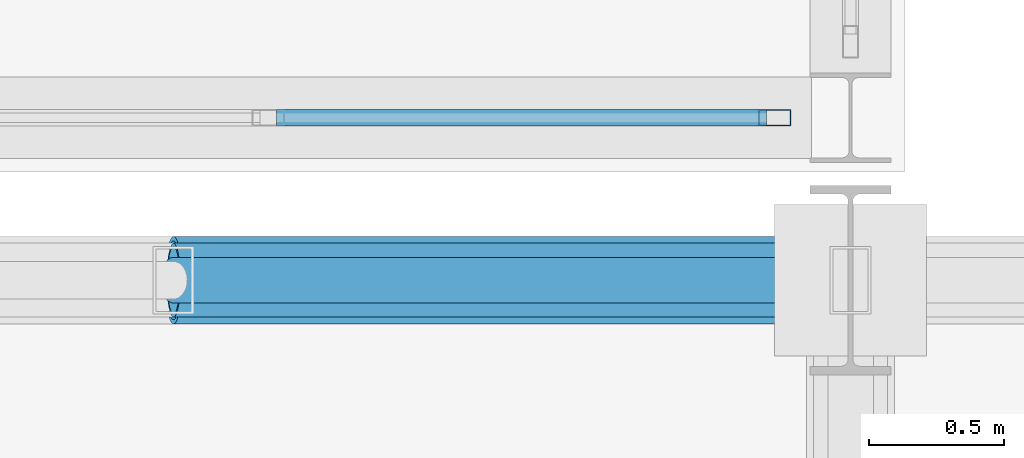
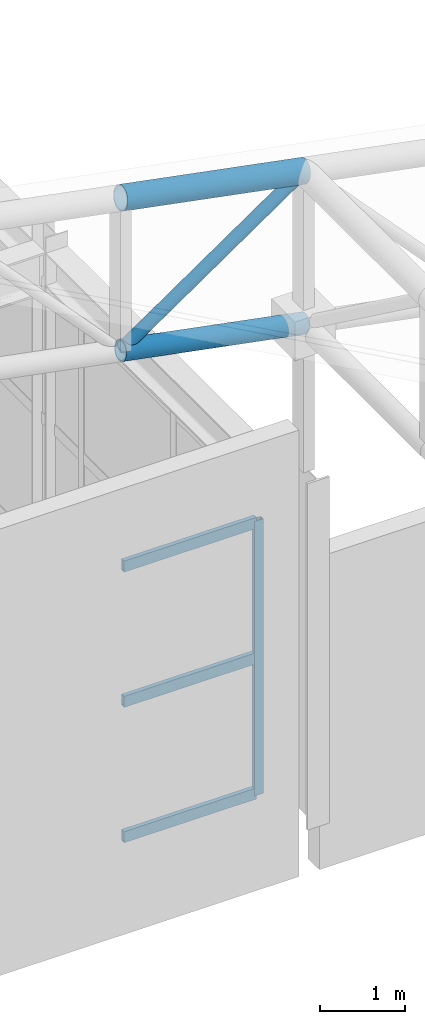
# One storey, part 75 of 112: 7 members, 1 element without a shape of its own.
"""IFC4 building model written with IfcOpenShell, lengths in metres."""

from ifc_helpers import new_model, si_unit, direction, frame, origin, origin_2d, place, context, subcontext, project, spatial, hollow_rectangle, hollow_circle, extrude, material, material_profile, profile_set, type_object, element, aggregate, save


model = new_model("IFC4")

# Units and contexts
model_context = context("Model", 3, precision=1e-05, world=origin(), true_north=direction((0.0, 1.0)))
body_context = subcontext(model_context, "Body", "Model", "MODEL_VIEW")
ifc_project = project(units=[si_unit("LENGTHUNIT", "METRE"), si_unit("AREAUNIT", "SQUARE_METRE"), si_unit("VOLUMEUNIT", "CUBIC_METRE"), si_unit("PLANEANGLEUNIT", "RADIAN"), si_unit("MASSUNIT", "GRAM", prefix="KILO")], contexts=[model_context])

# Site, building, storey
site_placement = place(None, origin())
site = spatial("IfcSite", under=ifc_project, at=site_placement, CompositionType="ELEMENT")
building_placement = place(site_placement, origin())
building = spatial("IfcBuilding", under=site, at=building_placement, Name="Kaldris Quays Convention Centre", CompositionType="ELEMENT")
storey_placement = place(building_placement, frame((0.0, 0.0, 16.800048828125)))
storey = spatial("IfcBuildingStorey", under=building, at=storey_placement, Name="L03", CompositionType="ELEMENT", Elevation=16.800048828125)

# Curtain wall, members
ifc_material_1 = material(Name="Anodized aluminium AW-6060 and triple glazing", Category="aluminium")
curtain_wall_type = type_object("IfcCurtainWallType", Name="UNITISED CURTAIN WALL CW06", PredefinedType="NOTDEFINED", material=ifc_material_1)
curtain_wall_placement = place(storey_placement, origin())
curtain_wall = element("IfcCurtainWall", 1, at=curtain_wall_placement, inside=storey, type_object=curtain_wall_type, Name="L03 Unitised Curtain Wall CW06 178", PredefinedType="NOTDEFINED")
ifc_material_2 = material(Name="Anodized aluminium AW-6060", Category="aluminium")
ifc_material_profile_1 = material_profile(ifc_material_2, hollow_rectangle(XDim=0.06005859375, YDim=0.1201171875, WallThickness=0.00390625, at=origin_2d()), Name="RHS 120x60x4")
ifc_profile_set_1 = profile_set([ifc_material_profile_1], Name="Anodized aluminium AW-6060")
member_type_1 = type_object("IfcMemberType", Name="CURTAIN MULLION CWM3", PredefinedType="MULLION", material=ifc_profile_set_1)
member_1_placement = place(storey_placement, frame((193.719970703125, 104.60009765625, 0.0), z_axis=(0.0, 0.0, 1.0), x_axis=(0.0, 1.0, 0.0)))
member_1 = element("IfcMember", 2, at=member_1_placement, type_object=member_type_1, Name="CW06 mullion 6", PredefinedType="MULLION", context=body_context, shape_type="SweptSolid", body=[
    extrude(hollow_rectangle(XDim=0.06005859375, YDim=0.1201171875, WallThickness=0.00390625, at=origin_2d()), origin(), (0.0, 0.0, 1.0), 3.967041015625),
])
ifc_material_profile_2 = material_profile(ifc_material_2, hollow_rectangle(XDim=0.06005859375, YDim=0.159912109375, WallThickness=0.00390625, at=origin_2d()), Name="RHS 160x60x4")
ifc_profile_set_2 = profile_set([ifc_material_profile_2], Name="Anodized aluminium AW-6060")
member_type_2 = type_object("IfcMemberType", Name="CURTAIN TRANSOM CWT2", PredefinedType="USERDEFINED", material=ifc_profile_set_2)
member_2_placement = place(storey_placement, frame((191.8798828125, 104.60009765625, 0.030029296875), z_axis=(1.0, 0.0, 0.0), x_axis=(0.0, 1.0, 0.0)))
member_2 = element("IfcMember", 3, at=member_2_placement, type_object=member_type_2, Name="CW06 transom 5.1", ObjectType="TRANSOM", PredefinedType="USERDEFINED", context=body_context, shape_type="SweptSolid", body=[
    extrude(hollow_rectangle(XDim=0.06005859375, YDim=0.159912109375, WallThickness=0.00390625, at=origin_2d()), origin(), (0.0, 0.0, 1.0), 1.81005859375),
])
member_3_placement = place(storey_placement, frame((191.8798828125, 104.60009765625, 1.98388671875), z_axis=(1.0, 0.0, 0.0), x_axis=(0.0, 1.0, 0.0)))
member_3 = element("IfcMember", 4, at=member_3_placement, type_object=member_type_2, Name="CW06 transom 5.2", ObjectType="TRANSOM", PredefinedType="USERDEFINED", context=body_context, shape_type="SweptSolid", body=[
    extrude(hollow_rectangle(XDim=0.06005859375, YDim=0.159912109375, WallThickness=0.00390625, at=origin_2d()), origin(), (0.0, 0.0, 1.0), 1.81005859375),
])
member_4_placement = place(storey_placement, frame((191.8798828125, 104.60009765625, 3.93701171875), z_axis=(1.0, 0.0, 0.0), x_axis=(0.0, 1.0, 0.0)))
member_4 = element("IfcMember", 5, at=member_4_placement, type_object=member_type_2, Name="CW06 transom 5.3", ObjectType="TRANSOM", PredefinedType="USERDEFINED", context=body_context, shape_type="SweptSolid", body=[
    extrude(hollow_rectangle(XDim=0.06005859375, YDim=0.159912109375, WallThickness=0.00390625, at=origin_2d()), origin(), (0.0, 0.0, 1.0), 1.81005859375),
])
aggregate(curtain_wall, [member_1, member_2, member_3, member_4])

# Members
ifc_material_3 = material(Name="Steel S355J2H", Category="steel")
ifc_material_profile_3 = material_profile(ifc_material_3, hollow_circle(Radius=0.161865234375, WallThickness=0.01611328125, at=origin_2d()), Name="CHS 323.9x16")
ifc_profile_set_3 = profile_set([ifc_material_profile_3], Name="Steel S355J2H")
member_type_3 = type_object("IfcMemberType", Name="STRUCTURAL MEMBER SC03", PredefinedType="CHORD", material=ifc_profile_set_3)
member_5_placement = place(storey_placement, frame((191.5, 104.0, 9.74169921875), z_axis=(0.981885875429, 0.0, -0.189473290024), x_axis=(0.0, 1.0, 0.0)))
element("IfcMember", 6, at=member_5_placement, inside=storey, type_object=member_type_3, Name="SF-V2 Top Chord X 71", PredefinedType="CHORD", context=body_context, shape_type="SweptSolid", body=[
    extrude(hollow_circle(Radius=0.161865234375, WallThickness=0.01611328125, at=origin_2d()), origin(), (0.0, 0.0, 1.0), 2.546142578125),
])
ifc_material_profile_4 = material_profile(ifc_material_3, hollow_circle(Radius=0.136474609375, WallThickness=0.012451171875, at=origin_2d()), Name="CHS 273x12.5")
ifc_profile_set_4 = profile_set([ifc_material_profile_4], Name="Steel S355J2H")
member_type_4 = type_object("IfcMemberType", Name="STRUCTURAL MEMBER SC04", PredefinedType="CHORD", material=ifc_profile_set_4)
member_6_placement = place(storey_placement, frame((191.5, 104.0, 7.541748046875), z_axis=(0.981885875429, 0.0, -0.189473290024), x_axis=(0.0, 1.0, 0.0)))
element("IfcMember", 7, at=member_6_placement, inside=storey, type_object=member_type_4, Name="SF-V2 Bottom Chord X 71", PredefinedType="CHORD", context=body_context, shape_type="SweptSolid", body=[
    extrude(hollow_circle(Radius=0.136474609375, WallThickness=0.012451171875, at=origin_2d()), origin(), (0.0, 0.0, 1.0), 2.546142578125),
])
ifc_material_profile_5 = material_profile(ifc_material_3, hollow_circle(Radius=0.084228515625, WallThickness=0.008056640625, at=origin_2d()), Name="CHS 168.3x8")
ifc_profile_set_5 = profile_set([ifc_material_profile_5], Name="Steel S355J2H")
member_type_5 = type_object("IfcMemberType", Name="STRUCTURAL MEMBER SWB2", PredefinedType="BRACE", material=ifc_profile_set_5)
member_7_placement = place(storey_placement, frame((191.5, 104.0, 7.541748046875), z_axis=(0.824229762823, 0.0, 0.566255506002), x_axis=(0.0, 1.0, 0.0)))
element("IfcMember", 8, at=member_7_placement, inside=storey, type_object=member_type_5, Name="SF-V2 Web Diagonal X 71", PredefinedType="BRACE", context=body_context, shape_type="SweptSolid", body=[
    extrude(hollow_circle(Radius=0.084228515625, WallThickness=0.008056640625, at=origin_2d()), origin(), (0.0, 0.0, 1.0), 3.033203125),
])

save(model, "model.ifc")
